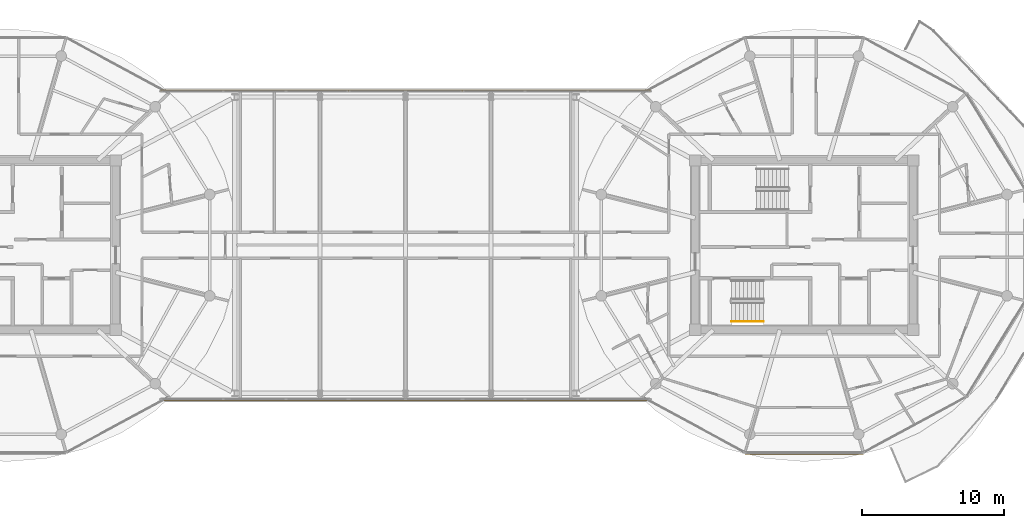
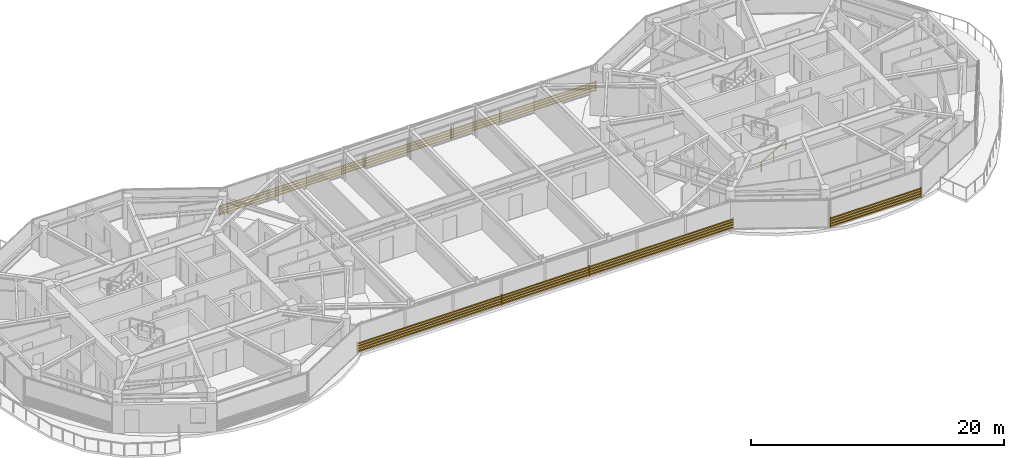
# One storey, part 22 of 24: 7 shading devices, 1 railing.
"""IFC4 building model written with IfcOpenShell, lengths in metres."""

from ifc_helpers import new_model, si_unit, direction, frame, origin, origin_2d, place, context, subcontext, project, spatial, rectangle, extrude, source, transform, mapped, material, type_object, type_shapes, element, save


model = new_model("IFC4")

# Units and contexts
model_context = context("Model", 3, precision=1e-05, world=origin(), true_north=direction((0.0, 1.0)))
body_context = subcontext(model_context, "Body", "Model", "MODEL_VIEW")
ifc_project = project(units=[si_unit("LENGTHUNIT", "METRE"), si_unit("AREAUNIT", "SQUARE_METRE"), si_unit("VOLUMEUNIT", "CUBIC_METRE"), si_unit("PLANEANGLEUNIT", "RADIAN"), si_unit("MASSUNIT", "GRAM", prefix="KILO")], contexts=[model_context])

# Site, building, storey
site_placement = place(None, origin())
site = spatial("IfcSite", under=ifc_project, at=site_placement, CompositionType="ELEMENT")
building_placement = place(site_placement, origin())
building = spatial("IfcBuilding", under=site, at=building_placement, Name="Norrkilde Senior Care Towers", CompositionType="ELEMENT")
storey_placement = place(building_placement, frame((0.0, 0.0, 213.89990234375)))
storey = spatial("IfcBuildingStorey", under=building, at=storey_placement, Name="L66", CompositionType="ELEMENT", Elevation=213.89990234375)

# Railing
ifc_material_1 = material(Name="Nordic Ash Timber", Category="wood")
railing_type = type_object("IfcRailingType", Name="Wall and Stair Handrail 900", PredefinedType="HANDRAIL", material=ifc_material_1)
railing_placement = place(storey_placement, frame((22.89990234375, -5.35009765625, 0.16943359375)))
element("IfcRailing", 1, at=railing_placement, inside=storey, type_object=railing_type, Name="L66 ST-E2 stair handrail 1", PredefinedType="HANDRAIL", context=body_context, shape_type="SweptSolid", body=[
    extrude(rectangle(XDim=0.048095703125, YDim=0.048095703125, at=origin_2d()), frame((0.0, 0.0, 0.8759765625), z_axis=(0.855512035549, 0.0, 0.517782924622), x_axis=(0.0, 1.0, 0.0)), (0.0, 0.0, 1.0), 2.618408203125),
    extrude(rectangle(XDim=0.0419921875, YDim=0.0419921875, at=origin_2d()), origin(), (0.0, 0.0, 1.0), 0.849853515625),
    extrude(rectangle(XDim=0.0419921875, YDim=0.0419921875, at=origin_2d()), frame((1.1201171875, 0.0, 0.677734375)), (0.0, 0.0, 1.0), 0.849853515625),
    extrude(rectangle(XDim=0.0419921875, YDim=0.0419921875, at=origin_2d()), frame((2.239990234375, 0.0, 1.355712890625)), (0.0, 0.0, 1.0), 0.849853515625),
])

# Shading devices
ifc_material_2 = material(Name="Architectural Terracotta", Category="masonry")
shading_device_type = type_object("IfcShadingDeviceType", Name="Horizontal Terracotta Baguette Rack", PredefinedType="USERDEFINED", material=ifc_material_2)
shared_shape_1 = source(origin(), body_context, "Body", "SweptSolid", [
    extrude(rectangle(XDim=0.070068359375, YDim=0.110107421875, at=origin_2d()), frame((0.0, 0.090087890625, 0.125), z_axis=(1.0, 0.0, 0.0), x_axis=(0.0, 1.0, 0.0)), (0.0, 0.0, 1.0), 8.32373046875),
    extrude(rectangle(XDim=0.070068359375, YDim=0.110107421875, at=origin_2d()), frame((0.0, 0.090087890625, 0.375), z_axis=(1.0, 0.0, 0.0), x_axis=(0.0, 1.0, 0.0)), (0.0, 0.0, 1.0), 8.32373046875),
    extrude(rectangle(XDim=0.070068359375, YDim=0.110107421875, at=origin_2d()), frame((0.0, 0.090087890625, 0.625), z_axis=(1.0, 0.0, 0.0), x_axis=(0.0, 1.0, 0.0)), (0.0, 0.0, 1.0), 8.32373046875),
    extrude(rectangle(XDim=0.070068359375, YDim=0.110107421875, at=origin_2d()), frame((0.0, 0.090087890625, 0.875), z_axis=(1.0, 0.0, 0.0), x_axis=(0.0, 1.0, 0.0)), (0.0, 0.0, 1.0), 8.32373046875),
    extrude(rectangle(XDim=0.050048828125, YDim=0.1552734375, at=origin_2d()), frame((0.02490234375, 0.047607421875, 0.0)), (0.0, 0.0, 1.0), 1.0),
    extrude(rectangle(XDim=0.050048828125, YDim=0.1552734375, at=origin_2d()), frame((8.298828125, 0.047607421875, 0.0)), (0.0, 0.0, 1.0), 1.0),
])
shading_device_placement = place(storey_placement, frame((32.161865234375, -14.566162109375, 0.080078125), z_axis=(0.0, 0.0, 1.0), x_axis=(-1.0, 0.0, 0.0)))
element("IfcShadingDevice", 2, at=shading_device_placement, inside=storey, type_object=shading_device_type, Name="L66 Drum E Terracotta Baguette Screen 08", ObjectType="BAGUETTE", PredefinedType="USERDEFINED", context=body_context, shape_type="MappedRepresentation", body=[
    mapped(shared_shape_1, transform((0.0, 0.0, 0.0), x_axis=(1.0, 0.0, 0.0), y_axis=(0.0, 1.0, 0.0), z_axis=(0.0, 0.0, 1.0), scale=1.0)),
])
shared_shape_2 = source(origin(), body_context, "Body", "SweptSolid", [
    extrude(rectangle(XDim=0.070068359375, YDim=0.110107421875, at=origin_2d()), frame((0.0, 0.090087890625, 0.125), z_axis=(1.0, 0.0, 0.0), x_axis=(0.0, 1.0, 0.0)), (0.0, 0.0, 1.0), 13.199951171875),
    extrude(rectangle(XDim=0.070068359375, YDim=0.110107421875, at=origin_2d()), frame((0.0, 0.090087890625, 0.375), z_axis=(1.0, 0.0, 0.0), x_axis=(0.0, 1.0, 0.0)), (0.0, 0.0, 1.0), 13.199951171875),
    extrude(rectangle(XDim=0.070068359375, YDim=0.110107421875, at=origin_2d()), frame((0.0, 0.090087890625, 0.625), z_axis=(1.0, 0.0, 0.0), x_axis=(0.0, 1.0, 0.0)), (0.0, 0.0, 1.0), 13.199951171875),
    extrude(rectangle(XDim=0.070068359375, YDim=0.110107421875, at=origin_2d()), frame((0.0, 0.090087890625, 0.875), z_axis=(1.0, 0.0, 0.0), x_axis=(0.0, 1.0, 0.0)), (0.0, 0.0, 1.0), 13.199951171875),
    extrude(rectangle(XDim=0.050048828125, YDim=0.1552734375, at=origin_2d()), frame((0.02490234375, 0.047607421875, 0.0)), (0.0, 0.0, 1.0), 1.0),
    extrude(rectangle(XDim=0.050048828125, YDim=0.1552734375, at=origin_2d()), frame((13.1748046875, 0.047607421875, 0.0)), (0.0, 0.0, 1.0), 1.0),
])
for number, where, z_axis, x_axis, name in (
    (3, (-17.199951171875, 10.820068359375, 0.080078125), (0.0, 0.0, 1.0), (1.0, 0.0, 0.0), "L66 Bridge North Baguette Screen 1"),
    (4, (4.0, 10.820068359375, 0.080078125), (0.0, 0.0, 1.0), (1.0, 0.0, 0.0), "L66 Bridge North Baguette Screen 3"),
    (5, (17.199951171875, -10.820068359375, 0.080078125), (0.0, 0.0, 1.0), (-1.0, 0.0, 0.0), "L66 Bridge South Baguette Screen 1"),
    (6, (-4.0, -10.820068359375, 0.080078125), (0.0, 0.0, 1.0), (-1.0, 0.0, 0.0), "L66 Bridge South Baguette Screen 3"),
):
    element("IfcShadingDevice", number, at=place(storey_placement, frame(where, z_axis=z_axis, x_axis=x_axis)), inside=storey, type_object=shading_device_type, Name=name, ObjectType="BAGUETTE", PredefinedType="USERDEFINED", context=body_context, shape_type="MappedRepresentation", body=[
        mapped(shared_shape_2, transform((0.0, 0.0, 0.0), x_axis=(1.0, 0.0, 0.0), y_axis=(0.0, 1.0, 0.0), z_axis=(0.0, 0.0, 1.0), scale=1.0)),
    ])
shared_shape_3 = source(origin(), body_context, "Body", "SweptSolid", [
    extrude(rectangle(XDim=0.070068359375, YDim=0.110107421875, at=origin_2d()), frame((0.0, 0.090087890625, 0.125), z_axis=(1.0, 0.0, 0.0), x_axis=(0.0, 1.0, 0.0)), (0.0, 0.0, 1.0), 8.0),
    extrude(rectangle(XDim=0.070068359375, YDim=0.110107421875, at=origin_2d()), frame((0.0, 0.090087890625, 0.375), z_axis=(1.0, 0.0, 0.0), x_axis=(0.0, 1.0, 0.0)), (0.0, 0.0, 1.0), 8.0),
    extrude(rectangle(XDim=0.070068359375, YDim=0.110107421875, at=origin_2d()), frame((0.0, 0.090087890625, 0.625), z_axis=(1.0, 0.0, 0.0), x_axis=(0.0, 1.0, 0.0)), (0.0, 0.0, 1.0), 8.0),
    extrude(rectangle(XDim=0.070068359375, YDim=0.110107421875, at=origin_2d()), frame((0.0, 0.090087890625, 0.875), z_axis=(1.0, 0.0, 0.0), x_axis=(0.0, 1.0, 0.0)), (0.0, 0.0, 1.0), 8.0),
    extrude(rectangle(XDim=0.050048828125, YDim=0.1552734375, at=origin_2d()), frame((0.02490234375, 0.047607421875, 0.0)), (0.0, 0.0, 1.0), 1.0),
    extrude(rectangle(XDim=0.050048828125, YDim=0.1552734375, at=origin_2d()), frame((7.97509765625, 0.047607421875, 0.0)), (0.0, 0.0, 1.0), 1.0),
])
type_shapes(shading_device_type, [shared_shape_1, shared_shape_2, shared_shape_3])
for number, where, z_axis, x_axis, name in (
    (7, (-4.0, 10.820068359375, 0.080078125), (0.0, 0.0, 1.0), (1.0, 0.0, 0.0), "L66 Bridge North Baguette Screen 2"),
    (8, (4.0, -10.820068359375, 0.080078125), (0.0, 0.0, 1.0), (-1.0, 0.0, 0.0), "L66 Bridge South Baguette Screen 2"),
):
    element("IfcShadingDevice", number, at=place(storey_placement, frame(where, z_axis=z_axis, x_axis=x_axis)), inside=storey, type_object=shading_device_type, Name=name, ObjectType="BAGUETTE", PredefinedType="USERDEFINED", context=body_context, shape_type="MappedRepresentation", body=[
        mapped(shared_shape_3, transform((0.0, 0.0, 0.0), x_axis=(1.0, 0.0, 0.0), y_axis=(0.0, 1.0, 0.0), z_axis=(0.0, 0.0, 1.0), scale=1.0)),
    ])

save(model, "model.ifc")
